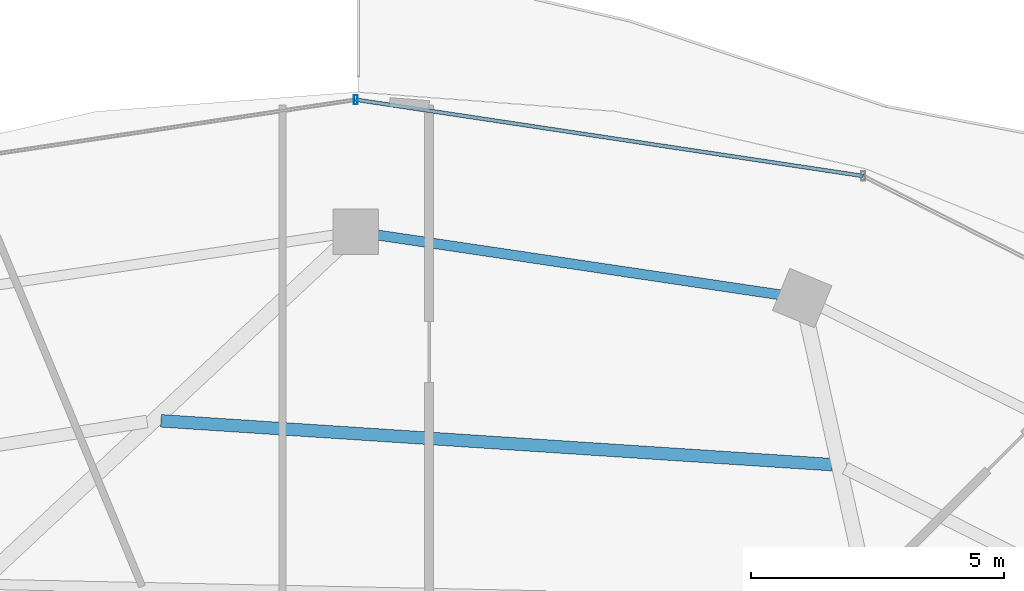
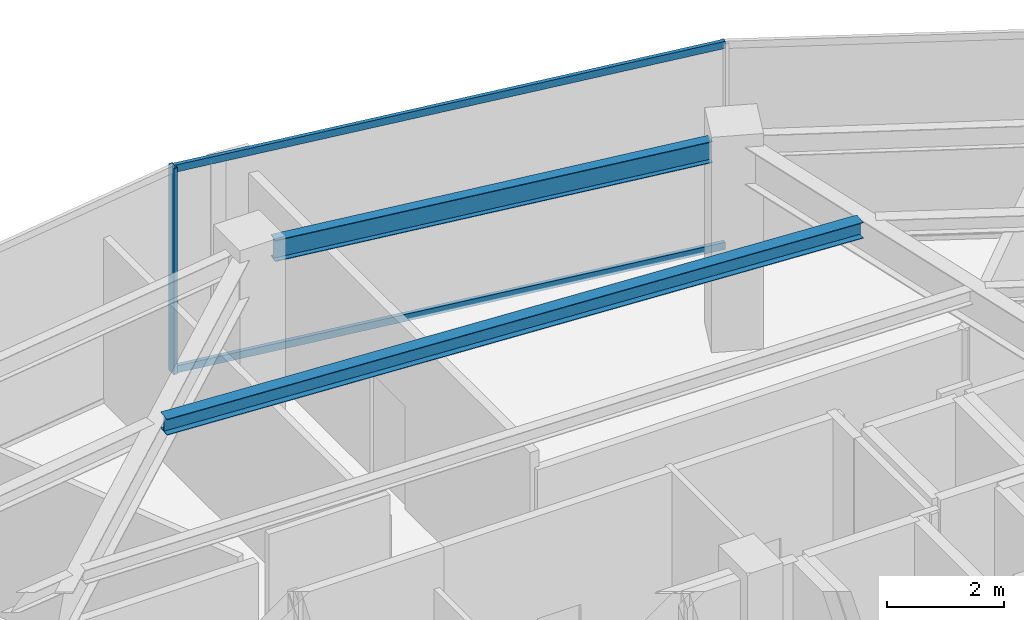
# One storey, part 18 of 27: 3 members, 2 beams, 1 element without a shape of its own.
"""IFC4 building model written with IfcOpenShell, lengths in metres."""

from ifc_helpers import new_model, si_unit, direction, frame, origin, origin_2d, place, context, subcontext, project, spatial, hollow_rectangle, i_section, extrude, material, material_profile, profile_set, type_object, element, aggregate, save


model = new_model("IFC4")

# Units and contexts
model_context = context("Model", 3, precision=1e-05, world=origin(), true_north=direction((0.0, 1.0)))
body_context = subcontext(model_context, "Body", "Model", "MODEL_VIEW")
ifc_project = project(units=[si_unit("LENGTHUNIT", "METRE"), si_unit("AREAUNIT", "SQUARE_METRE"), si_unit("VOLUMEUNIT", "CUBIC_METRE"), si_unit("PLANEANGLEUNIT", "RADIAN"), si_unit("MASSUNIT", "GRAM", prefix="KILO")], contexts=[model_context])

# Site, building, storey
site_placement = place(None, origin())
site = spatial("IfcSite", under=ifc_project, at=site_placement, CompositionType="ELEMENT")
building_placement = place(site_placement, origin())
building = spatial("IfcBuilding", under=site, at=building_placement, Name="Vorneva Point Tower", CompositionType="ELEMENT")
storey_placement = place(building_placement, frame((0.0, 0.0, 229.75)))
storey = spatial("IfcBuildingStorey", under=building, at=storey_placement, Name="L62", CompositionType="ELEMENT", Elevation=229.75)

# Beams
ifc_material_1 = material(Name="Steel S355", Category="steel")
ifc_material_profile_1 = material_profile(ifc_material_1, i_section(OverallWidth=0.2490234375, OverallDepth=0.333984375, WebThickness=0.008056640625, FlangeThickness=0.010986328125, at=origin_2d()), Name="35Sh1")
ifc_profile_set_1 = profile_set([ifc_material_profile_1], Name="Steel S355")
beam_type_1 = type_object("IfcBeamType", Name="BM-SEC-35Sh1", PredefinedType="BEAM", material=ifc_profile_set_1)
beam_1_placement = place(storey_placement, frame((47.41162109375, 38.598876953125, 4.072998046875), z_axis=(-0.997872888723, 0.065189707405, 0.0), x_axis=(-0.065189707405, -0.997872888723, 0.0)))
element("IfcBeam", 1, at=beam_1_placement, inside=storey, type_object=beam_type_1, Name="L62 Secondary Floor Beam 1.04", PredefinedType="BEAM", context=body_context, shape_type="SweptSolid", body=[
    extrude(i_section(OverallWidth=0.2490234375, OverallDepth=0.333984375, WebThickness=0.008056640625, FlangeThickness=0.010986328125, at=origin_2d()), origin(), (0.0, 0.0, 1.0), 13.28759765625),
])
ifc_material_profile_2 = material_profile(ifc_material_1, i_section(OverallWidth=0.198974609375, OverallDepth=0.446044921875, WebThickness=0.008056640625, FlangeThickness=0.011962890625, at=origin_2d()), Name="45B1")
ifc_profile_set_2 = profile_set([ifc_material_profile_2], Name="Steel S355")
beam_type_2 = type_object("IfcBeamType", Name="BM-SPN-45B1", PredefinedType="SPANDREL", material=ifc_profile_set_2)
beam_2_placement = place(storey_placement, frame((46.390625, 41.95458984375, 4.01708984375), z_axis=(-0.989165476332, 0.146804837907, 0.0), x_axis=(-0.146804837907, -0.989165476332, 0.0)))
element("IfcBeam", 2, at=beam_2_placement, inside=storey, type_object=beam_type_2, Name="L62 Perimeter Spandrel Ring Beam 04", PredefinedType="SPANDREL", context=body_context, shape_type="SweptSolid", body=[
    extrude(i_section(OverallWidth=0.198974609375, OverallDepth=0.446044921875, WebThickness=0.008056640625, FlangeThickness=0.011962890625, at=origin_2d()), origin(), (0.0, 0.0, 1.0), 8.04736328125),
])

# Curtain wall, members
ifc_material_2 = material(Name="Pale anodised aluminium", Category="aluminium")
curtain_wall_type = type_object("IfcCurtainWallType", Name="CW-SKY-SYS", PredefinedType="NOTDEFINED", material=ifc_material_2)
curtain_wall_placement = place(storey_placement, origin())
curtain_wall = element("IfcCurtainWall", 3, at=curtain_wall_placement, inside=storey, type_object=curtain_wall_type, Name="L62 Unitised Curtain Wall CW-L62-R02", PredefinedType="NOTDEFINED")
ifc_material_profile_3 = material_profile(ifc_material_2, hollow_rectangle(XDim=0.074951171875, YDim=0.179931640625, WallThickness=0.00390625, at=origin_2d()), Name="AL-MUL 180x75x4")
ifc_profile_set_3 = profile_set([ifc_material_profile_3], Name="Pale anodised aluminium")
member_type_1 = type_object("IfcMemberType", Name="CW-MUL-180", PredefinedType="MULLION", material=ifc_profile_set_3)
member_1_placement = place(storey_placement, frame((38.0, 45.81005859375, -0.0400390625), z_axis=(0.0, 0.0, 1.0), x_axis=(1.0, 0.0, 0.0)))
member_1 = element("IfcMember", 4, at=member_1_placement, type_object=member_type_1, Name="CW-L62-R02 Mullion 03", PredefinedType="MULLION", context=body_context, shape_type="SweptSolid", body=[
    extrude(hollow_rectangle(XDim=0.074951171875, YDim=0.179931640625, WallThickness=0.00390625, at=origin_2d()), origin(), (0.0, 0.0, 1.0), 4.31005859375),
])
ifc_material_profile_4 = material_profile(ifc_material_2, hollow_rectangle(XDim=0.074951171875, YDim=0.14990234375, WallThickness=0.00390625, at=origin_2d()), Name="AL-TRN 150x75x4")
ifc_profile_set_4 = profile_set([ifc_material_profile_4], Name="Pale anodised aluminium")
member_type_2 = type_object("IfcMemberType", Name="CW-TRN-150", PredefinedType="USERDEFINED", material=ifc_profile_set_4)
member_2_placement = place(storey_placement, frame((48.0263671875, 44.302001953125, 0.02001953125), z_axis=(-0.988876929856, 0.148736066907, 0.0), x_axis=(-0.148736066907, -0.988876929856, 0.0)))
member_2 = element("IfcMember", 5, at=member_2_placement, type_object=member_type_2, Name="CW-L62-R02 Transom 02.1", ObjectType="TRANSOM", PredefinedType="USERDEFINED", context=body_context, shape_type="SweptSolid", body=[
    extrude(hollow_rectangle(XDim=0.074951171875, YDim=0.14990234375, WallThickness=0.00390625, at=origin_2d()), origin(), (0.0, 0.0, 1.0), 10.13916015625),
])
member_3_placement = place(storey_placement, frame((48.0263671875, 44.302001953125, 4.219970703125), z_axis=(-0.988876929856, 0.148736066907, 0.0), x_axis=(-0.148736066907, -0.988876929856, 0.0)))
member_3 = element("IfcMember", 6, at=member_3_placement, type_object=member_type_2, Name="CW-L62-R02 Transom 02.2", ObjectType="TRANSOM", PredefinedType="USERDEFINED", context=body_context, shape_type="SweptSolid", body=[
    extrude(hollow_rectangle(XDim=0.074951171875, YDim=0.14990234375, WallThickness=0.00390625, at=origin_2d()), origin(), (0.0, 0.0, 1.0), 10.13916015625),
])
aggregate(curtain_wall, [member_1, member_2, member_3])

save(model, "model.ifc")
